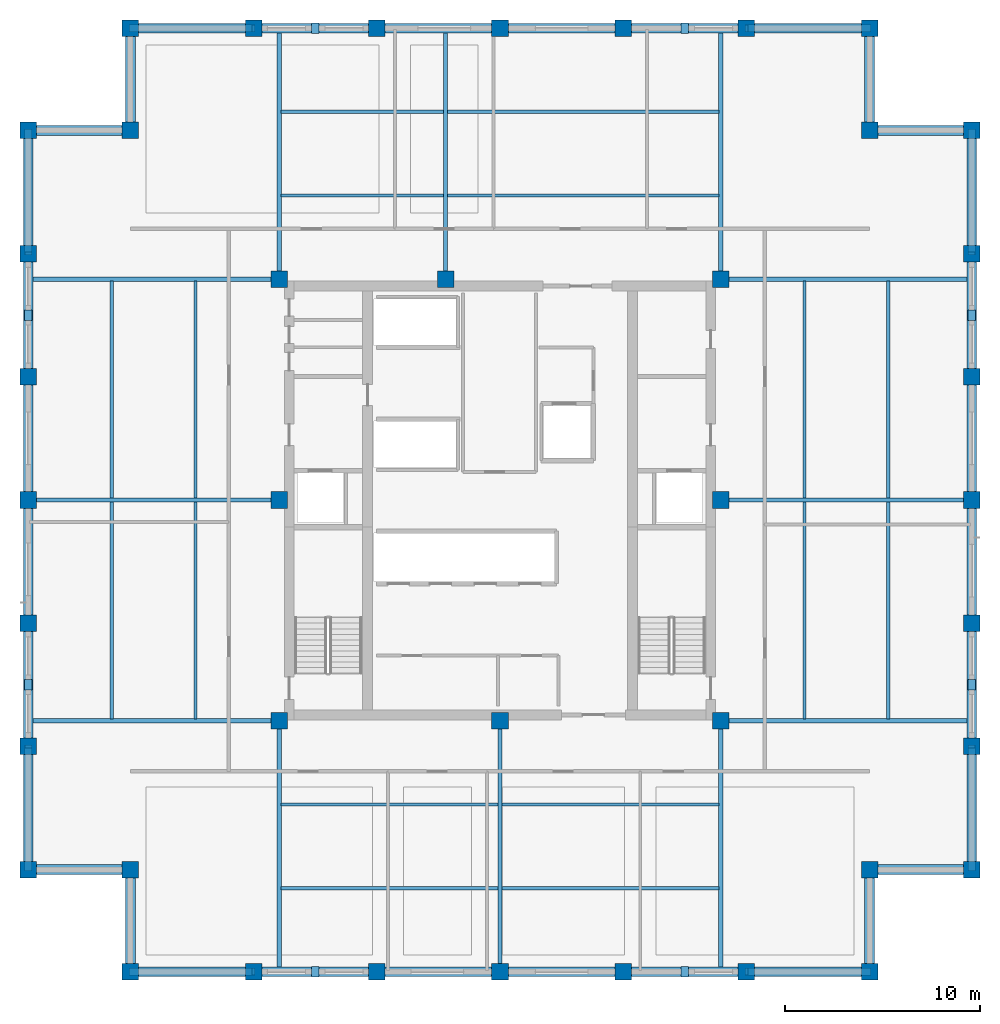
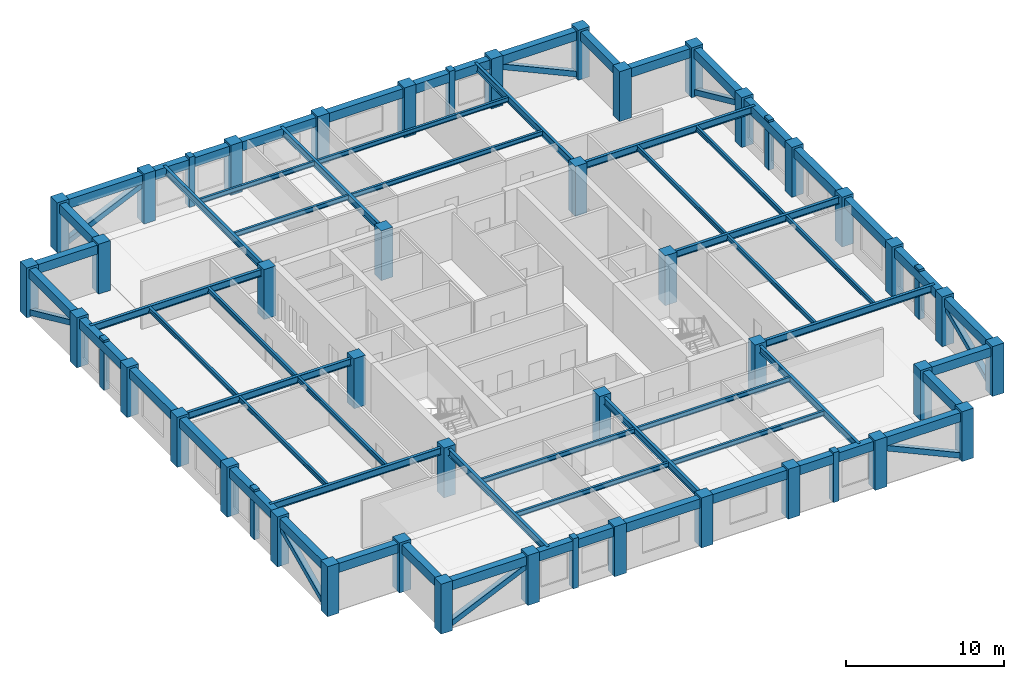
# One storey, part 1 of 11: 60 beams, 40 columns, 16 members.
"""IFC4 building model written with IfcOpenShell, lengths in metres."""

from ifc_helpers import new_model, si_unit, direction, frame, origin, origin_2d, place, context, subcontext, project, spatial, rectangle, hollow_rectangle, i_section, extrude, material, material_profile, profile_set, type_object, element, save


model = new_model("IFC4")

# Units and contexts
model_context = context("Model", 3, precision=1e-05, world=origin(), true_north=direction((0.0, 1.0)))
body_context = subcontext(model_context, "Body", "Model", "MODEL_VIEW")
ifc_project = project(units=[si_unit("LENGTHUNIT", "METRE"), si_unit("AREAUNIT", "SQUARE_METRE"), si_unit("VOLUMEUNIT", "CUBIC_METRE"), si_unit("PLANEANGLEUNIT", "RADIAN"), si_unit("MASSUNIT", "GRAM", prefix="KILO")], contexts=[model_context])

# Site, building, storey
site_placement = place(None, origin())
site = spatial("IfcSite", under=ifc_project, at=site_placement, CompositionType="ELEMENT")
building_placement = place(site_placement, origin())
building = spatial("IfcBuilding", under=site, at=building_placement, Name="Nhamokura Convention Tower", CompositionType="ELEMENT")
storey_placement = place(building_placement, frame((0.0, 0.0, 198.449951171875)))
storey = spatial("IfcBuildingStorey", under=building, at=storey_placement, Name="L48", CompositionType="ELEMENT", Elevation=198.449951171875)

# Columns
ifc_material_1 = material(Name="Concrete C50/60", Category="concrete")
ifc_material_profile_1 = material_profile(ifc_material_1, rectangle(XDim=0.85009765625, YDim=0.85009765625, at=origin_2d()))
ifc_profile_set_1 = profile_set([ifc_material_profile_1], Name="Concrete C50/60")
column_type = type_object("IfcColumnType", Name="TubeColumn_Z3_850", PredefinedType="COLUMN", material=ifc_profile_set_1)
for number, where, z_axis, x_axis, name in (
    (1, (20.64990234375, 20.64990234375, 0.0), (0.0, 0.0, 1.0), (1.0, 0.0, 0.0), "L48 Core Column CC-SW"),
    (2, (32.0, 20.64990234375, 0.0), (0.0, 0.0, 1.0), (1.0, 0.0, 0.0), "L48 Core Column CC-S"),
    (3, (43.35009765625, 20.64990234375, 0.0), (0.0, 0.0, 1.0), (1.0, 0.0, 0.0), "L48 Core Column CC-SE"),
    (4, (43.35009765625, 32.0, 0.0), (0.0, 0.0, 1.0), (1.0, 0.0, 0.0), "L48 Core Column CC-E"),
    (5, (43.35009765625, 43.35009765625, 0.0), (0.0, 0.0, 1.0), (1.0, 0.0, 0.0), "L48 Core Column CC-NE"),
    (6, (29.199951171875, 43.35009765625, 0.0), (0.0, 0.0, 1.0), (1.0, 0.0, 0.0), "L48 Core Column CC-N"),
    (7, (20.64990234375, 43.35009765625, 0.0), (0.0, 0.0, 1.0), (1.0, 0.0, 0.0), "L48 Core Column CC-NW"),
    (8, (20.64990234375, 32.0, 0.0), (0.0, 0.0, 1.0), (1.0, 0.0, 0.0), "L48 Core Column CC-W"),
    (9, (13.0, 7.75, 0.0), (0.0, 0.0, 1.0), (1.0, 0.0, 0.0), "L48 Perimeter Tube Column SW1"),
    (10, (13.0, 13.0, 0.0), (0.0, 0.0, 1.0), (1.0, 0.0, 0.0), "L48 Perimeter Tube Column SW0"),
    (11, (7.75, 13.0, 0.0), (0.0, 0.0, 1.0), (1.0, 0.0, 0.0), "L48 Perimeter Tube Column SW2"),
    (12, (51.0, 7.75, 0.0), (0.0, 0.0, 1.0), (1.0, 0.0, 0.0), "L48 Perimeter Tube Column SE1"),
    (13, (51.0, 13.0, 0.0), (0.0, 0.0, 1.0), (1.0, 0.0, 0.0), "L48 Perimeter Tube Column SE0"),
    (14, (56.25, 13.0, 0.0), (0.0, 0.0, 1.0), (1.0, 0.0, 0.0), "L48 Perimeter Tube Column SE2"),
    (15, (56.25, 51.0, 0.0), (0.0, 0.0, 1.0), (1.0, 0.0, 0.0), "L48 Perimeter Tube Column NE1"),
    (16, (51.0, 51.0, 0.0), (0.0, 0.0, 1.0), (1.0, 0.0, 0.0), "L48 Perimeter Tube Column NE0"),
    (17, (51.0, 56.25, 0.0), (0.0, 0.0, 1.0), (1.0, 0.0, 0.0), "L48 Perimeter Tube Column NE2"),
    (18, (13.0, 56.25, 0.0), (0.0, 0.0, 1.0), (1.0, 0.0, 0.0), "L48 Perimeter Tube Column NW1"),
    (19, (13.0, 51.0, 0.0), (0.0, 0.0, 1.0), (1.0, 0.0, 0.0), "L48 Perimeter Tube Column NW0"),
    (20, (7.75, 51.0, 0.0), (0.0, 0.0, 1.0), (1.0, 0.0, 0.0), "L48 Perimeter Tube Column NW2"),
    (21, (19.333251953125, 7.75, 0.0), (0.0, 0.0, 1.0), (1.0, 0.0, 0.0), "L48 Perimeter Tube Column S1"),
    (22, (19.333251953125, 56.25, 0.0), (0.0, 0.0, 1.0), (1.0, 0.0, 0.0), "L48 Perimeter Tube Column N1"),
    (23, (7.75, 19.333251953125, 0.0), (0.0, 0.0, 1.0), (1.0, 0.0, 0.0), "L48 Perimeter Tube Column W1"),
    (24, (56.25, 19.333251953125, 0.0), (0.0, 0.0, 1.0), (1.0, 0.0, 0.0), "L48 Perimeter Tube Column E1"),
    (25, (25.666748046875, 7.75, 0.0), (0.0, 0.0, 1.0), (1.0, 0.0, 0.0), "L48 Perimeter Tube Column S2"),
    (26, (25.666748046875, 56.25, 0.0), (0.0, 0.0, 1.0), (1.0, 0.0, 0.0), "L48 Perimeter Tube Column N2"),
    (27, (7.75, 25.666748046875, 0.0), (0.0, 0.0, 1.0), (1.0, 0.0, 0.0), "L48 Perimeter Tube Column W2"),
    (28, (56.25, 25.666748046875, 0.0), (0.0, 0.0, 1.0), (1.0, 0.0, 0.0), "L48 Perimeter Tube Column E2"),
    (29, (32.0, 7.75, 0.0), (0.0, 0.0, 1.0), (1.0, 0.0, 0.0), "L48 Perimeter Tube Column S3"),
    (30, (32.0, 56.25, 0.0), (0.0, 0.0, 1.0), (1.0, 0.0, 0.0), "L48 Perimeter Tube Column N3"),
    (31, (7.75, 32.0, 0.0), (0.0, 0.0, 1.0), (1.0, 0.0, 0.0), "L48 Perimeter Tube Column W3"),
    (32, (56.25, 32.0, 0.0), (0.0, 0.0, 1.0), (1.0, 0.0, 0.0), "L48 Perimeter Tube Column E3"),
    (33, (38.333251953125, 7.75, 0.0), (0.0, 0.0, 1.0), (1.0, 0.0, 0.0), "L48 Perimeter Tube Column S4"),
    (34, (38.333251953125, 56.25, 0.0), (0.0, 0.0, 1.0), (1.0, 0.0, 0.0), "L48 Perimeter Tube Column N4"),
    (35, (7.75, 38.333251953125, 0.0), (0.0, 0.0, 1.0), (1.0, 0.0, 0.0), "L48 Perimeter Tube Column W4"),
    (36, (56.25, 38.333251953125, 0.0), (0.0, 0.0, 1.0), (1.0, 0.0, 0.0), "L48 Perimeter Tube Column E4"),
    (37, (44.666748046875, 7.75, 0.0), (0.0, 0.0, 1.0), (1.0, 0.0, 0.0), "L48 Perimeter Tube Column S5"),
    (38, (44.666748046875, 56.25, 0.0), (0.0, 0.0, 1.0), (1.0, 0.0, 0.0), "L48 Perimeter Tube Column N5"),
    (39, (7.75, 44.666748046875, 0.0), (0.0, 0.0, 1.0), (1.0, 0.0, 0.0), "L48 Perimeter Tube Column W5"),
    (40, (56.25, 44.666748046875, 0.0), (0.0, 0.0, 1.0), (1.0, 0.0, 0.0), "L48 Perimeter Tube Column E5"),
):
    element("IfcColumn", number, at=place(storey_placement, frame(where, z_axis=z_axis, x_axis=x_axis)), inside=storey, type_object=column_type, Name=name, PredefinedType="COLUMN", context=body_context, shape_type="SweptSolid", body=[
        extrude(rectangle(XDim=0.85009765625, YDim=0.85009765625, at=origin_2d()), origin(), (0.0, 0.0, 1.0), 3.85009765625),
    ])

# Members
ifc_material_2 = material(Name="Bronze-pigmented precast concrete C45/55", Category="concrete")
ifc_material_profile_2 = material_profile(ifc_material_2, rectangle(XDim=0.39990234375, YDim=0.550048828125, at=origin_2d()))
ifc_profile_set_2 = profile_set([ifc_material_profile_2], Name="Bronze-pigmented precast concrete C45/55")
member_type_1 = type_object("IfcMemberType", Name="BronzePilaster_550", PredefinedType="USERDEFINED", material=ifc_profile_set_2)
for number, where, z_axis, x_axis, name in (
    (41, (22.5, 7.75, 0.0), (0.0, 0.0, 1.0), (1.0, 0.0, 0.0), "L48 Engaged Frame Pilaster SOUTH 1"),
    (42, (41.5, 7.75, 0.0), (0.0, 0.0, 1.0), (1.0, 0.0, 0.0), "L48 Engaged Frame Pilaster SOUTH 4"),
    (43, (22.5, 56.25, 0.0), (0.0, 0.0, 1.0), (1.0, 0.0, 0.0), "L48 Engaged Frame Pilaster NORTH 1"),
    (44, (41.5, 56.25, 0.0), (0.0, 0.0, 1.0), (1.0, 0.0, 0.0), "L48 Engaged Frame Pilaster NORTH 4"),
    (45, (7.75, 22.5, 0.0), (0.0, 0.0, 1.0), (1.0, 0.0, 0.0), "L48 Engaged Frame Pilaster WEST 1"),
    (46, (7.75, 41.5, 0.0), (0.0, 0.0, 1.0), (1.0, 0.0, 0.0), "L48 Engaged Frame Pilaster WEST 4"),
    (47, (56.25, 22.5, 0.0), (0.0, 0.0, 1.0), (1.0, 0.0, 0.0), "L48 Engaged Frame Pilaster EAST 1"),
    (48, (56.25, 41.5, 0.0), (0.0, 0.0, 1.0), (1.0, 0.0, 0.0), "L48 Engaged Frame Pilaster EAST 4"),
):
    element("IfcMember", number, at=place(storey_placement, frame(where, z_axis=z_axis, x_axis=x_axis)), inside=storey, type_object=member_type_1, Name=name, ObjectType="PILASTER_TRIM", PredefinedType="USERDEFINED", context=body_context, shape_type="SweptSolid", body=[
        extrude(rectangle(XDim=0.39990234375, YDim=0.550048828125, at=origin_2d()), origin(), (0.0, 0.0, 1.0), 3.85009765625),
    ])

# Beams
ifc_material_3 = material(Name="Steel ASTM A992 Gr 50", Category="steel")
ifc_material_profile_3 = material_profile(ifc_material_3, i_section(OverallWidth=0.172119140625, OverallDepth=0.35791015625, WebThickness=0.0078125, FlangeThickness=0.01318359375, at=origin_2d()))
ifc_profile_set_3 = profile_set([ifc_material_profile_3], Name="Steel ASTM A992 Gr 50")
beam_type_1 = type_object("IfcBeamType", Name="FloorJoist_W360X57", PredefinedType="JOIST", material=ifc_profile_set_3)
for number, where, z_axis, x_axis, name in (
    (49, (20.75341796875, 12.050048828125, 3.506103515625), (1.0, 0.0, 0.0), (0.0, 1.0, 0.0), "L48 Composite Floor Joist S1A"),
    (50, (32.103515625, 12.050048828125, 3.506103515625), (1.0, 0.0, 0.0), (0.0, 1.0, 0.0), "L48 Composite Floor Joist S1B"),
    (51, (20.75341796875, 16.35009765625, 3.506103515625), (1.0, 0.0, 0.0), (0.0, 1.0, 0.0), "L48 Composite Floor Joist S2A"),
    (52, (32.103515625, 16.35009765625, 3.506103515625), (1.0, 0.0, 0.0), (0.0, 1.0, 0.0), "L48 Composite Floor Joist S2B"),
):
    element("IfcBeam", number, at=place(storey_placement, frame(where, z_axis=z_axis, x_axis=x_axis)), inside=storey, type_object=beam_type_1, Name=name, PredefinedType="JOIST", context=body_context, shape_type="SweptSolid", body=[
        extrude(i_section(OverallWidth=0.172119140625, OverallDepth=0.35791015625, WebThickness=0.0078125, FlangeThickness=0.01318359375, at=origin_2d()), origin(), (0.0, 0.0, 1.0), 11.14306640625),
    ])
beam_1_placement = place(storey_placement, frame((20.75341796875, 47.64990234375, 3.506103515625), z_axis=(1.0, 0.0, 0.0), x_axis=(0.0, 1.0, 0.0)))
element("IfcBeam", 53, at=beam_1_placement, inside=storey, type_object=beam_type_1, Name="L48 Composite Floor Joist N1A", PredefinedType="JOIST", context=body_context, shape_type="SweptSolid", body=[
    extrude(i_section(OverallWidth=0.172119140625, OverallDepth=0.35791015625, WebThickness=0.0078125, FlangeThickness=0.01318359375, at=origin_2d()), origin(), (0.0, 0.0, 1.0), 8.343017578125),
])
beam_2_placement = place(storey_placement, frame((29.303466796875, 47.64990234375, 3.506103515625), z_axis=(1.0, 0.0, 0.0), x_axis=(0.0, 1.0, 0.0)))
element("IfcBeam", 54, at=beam_2_placement, inside=storey, type_object=beam_type_1, Name="L48 Composite Floor Joist N1B", PredefinedType="JOIST", context=body_context, shape_type="SweptSolid", body=[
    extrude(i_section(OverallWidth=0.172119140625, OverallDepth=0.35791015625, WebThickness=0.0078125, FlangeThickness=0.01318359375, at=origin_2d()), origin(), (0.0, 0.0, 1.0), 13.943115234375),
])
beam_3_placement = place(storey_placement, frame((20.75341796875, 51.949951171875, 3.506103515625), z_axis=(1.0, 0.0, 0.0), x_axis=(0.0, 1.0, 0.0)))
element("IfcBeam", 55, at=beam_3_placement, inside=storey, type_object=beam_type_1, Name="L48 Composite Floor Joist N2A", PredefinedType="JOIST", context=body_context, shape_type="SweptSolid", body=[
    extrude(i_section(OverallWidth=0.172119140625, OverallDepth=0.35791015625, WebThickness=0.0078125, FlangeThickness=0.01318359375, at=origin_2d()), origin(), (0.0, 0.0, 1.0), 8.343017578125),
])
beam_4_placement = place(storey_placement, frame((29.303466796875, 51.949951171875, 3.506103515625), z_axis=(1.0, 0.0, 0.0), x_axis=(0.0, 1.0, 0.0)))
element("IfcBeam", 56, at=beam_4_placement, inside=storey, type_object=beam_type_1, Name="L48 Composite Floor Joist N2B", PredefinedType="JOIST", context=body_context, shape_type="SweptSolid", body=[
    extrude(i_section(OverallWidth=0.172119140625, OverallDepth=0.35791015625, WebThickness=0.0078125, FlangeThickness=0.01318359375, at=origin_2d()), origin(), (0.0, 0.0, 1.0), 13.943115234375),
])
for number, where, z_axis, x_axis, name in (
    (57, (12.050048828125, 20.75341796875, 3.506103515625), (0.0, 1.0, 0.0), (-1.0, 0.0, 0.0), "L48 Composite Floor Joist W1A"),
    (58, (12.050048828125, 32.103515625, 3.506103515625), (0.0, 1.0, 0.0), (-1.0, 0.0, 0.0), "L48 Composite Floor Joist W1B"),
    (59, (16.35009765625, 20.75341796875, 3.506103515625), (0.0, 1.0, 0.0), (-1.0, 0.0, 0.0), "L48 Composite Floor Joist W2A"),
    (60, (16.35009765625, 32.103515625, 3.506103515625), (0.0, 1.0, 0.0), (-1.0, 0.0, 0.0), "L48 Composite Floor Joist W2B"),
    (61, (47.64990234375, 20.75341796875, 3.506103515625), (0.0, 1.0, 0.0), (-1.0, 0.0, 0.0), "L48 Composite Floor Joist E1A"),
    (62, (47.64990234375, 32.103515625, 3.506103515625), (0.0, 1.0, 0.0), (-1.0, 0.0, 0.0), "L48 Composite Floor Joist E1B"),
    (63, (51.949951171875, 20.75341796875, 3.506103515625), (0.0, 1.0, 0.0), (-1.0, 0.0, 0.0), "L48 Composite Floor Joist E2A"),
    (64, (51.949951171875, 32.103515625, 3.506103515625), (0.0, 1.0, 0.0), (-1.0, 0.0, 0.0), "L48 Composite Floor Joist E2B"),
):
    element("IfcBeam", number, at=place(storey_placement, frame(where, z_axis=z_axis, x_axis=x_axis)), inside=storey, type_object=beam_type_1, Name=name, PredefinedType="JOIST", context=body_context, shape_type="SweptSolid", body=[
        extrude(i_section(OverallWidth=0.172119140625, OverallDepth=0.35791015625, WebThickness=0.0078125, FlangeThickness=0.01318359375, at=origin_2d()), origin(), (0.0, 0.0, 1.0), 11.14306640625),
    ])
ifc_material_4 = material(Name="Steel ASTM A992 Gr 50", Category="steel")
ifc_material_profile_4 = material_profile(ifc_material_4, i_section(OverallWidth=0.2109375, OverallDepth=0.5390625, WebThickness=0.01171875, FlangeThickness=0.018798828125, at=origin_2d()))
ifc_profile_set_4 = profile_set([ifc_material_profile_4], Name="Steel ASTM A992 Gr 50")
beam_type_2 = type_object("IfcBeamType", Name="PrimaryGirder_W530X109", PredefinedType="BEAM", material=ifc_profile_set_4)
for number, where, z_axis, x_axis, name in (
    (65, (20.64990234375, 7.75, 3.41552734375), (0.0, 1.0, 0.0), (-1.0, 0.0, 0.0), "L48 Primary Floor Girder PG-S1"),
    (66, (32.0, 7.75, 3.41552734375), (0.0, 1.0, 0.0), (-1.0, 0.0, 0.0), "L48 Primary Floor Girder PG-S2"),
    (67, (43.35009765625, 7.75, 3.41552734375), (0.0, 1.0, 0.0), (-1.0, 0.0, 0.0), "L48 Primary Floor Girder PG-S3"),
    (68, (20.64990234375, 43.35009765625, 3.41552734375), (0.0, 1.0, 0.0), (-1.0, 0.0, 0.0), "L48 Primary Floor Girder PG-N1"),
    (69, (29.199951171875, 43.35009765625, 3.41552734375), (0.0, 1.0, 0.0), (-1.0, 0.0, 0.0), "L48 Primary Floor Girder PG-N2"),
    (70, (43.35009765625, 43.35009765625, 3.41552734375), (0.0, 1.0, 0.0), (-1.0, 0.0, 0.0), "L48 Primary Floor Girder PG-N3"),
    (71, (7.75, 20.64990234375, 3.41552734375), (1.0, 0.0, 0.0), (0.0, 1.0, 0.0), "L48 Primary Floor Girder PG-W1"),
    (72, (7.75, 32.0, 3.41552734375), (1.0, 0.0, 0.0), (0.0, 1.0, 0.0), "L48 Primary Floor Girder PG-W2"),
    (73, (7.75, 43.35009765625, 3.41552734375), (1.0, 0.0, 0.0), (0.0, 1.0, 0.0), "L48 Primary Floor Girder PG-W3"),
    (74, (43.35009765625, 20.64990234375, 3.41552734375), (1.0, 0.0, 0.0), (0.0, 1.0, 0.0), "L48 Primary Floor Girder PG-E1"),
    (75, (43.35009765625, 32.0, 3.41552734375), (1.0, 0.0, 0.0), (0.0, 1.0, 0.0), "L48 Primary Floor Girder PG-E2"),
    (76, (43.35009765625, 43.35009765625, 3.41552734375), (1.0, 0.0, 0.0), (0.0, 1.0, 0.0), "L48 Primary Floor Girder PG-E3"),
):
    element("IfcBeam", number, at=place(storey_placement, frame(where, z_axis=z_axis, x_axis=x_axis)), inside=storey, type_object=beam_type_2, Name=name, PredefinedType="BEAM", context=body_context, shape_type="SweptSolid", body=[
        extrude(i_section(OverallWidth=0.2109375, OverallDepth=0.5390625, WebThickness=0.01171875, FlangeThickness=0.018798828125, at=origin_2d()), origin(), (0.0, 0.0, 1.0), 12.89990234375),
    ])

# Members
ifc_material_5 = material(Name="Steel ASTM A572 Gr 50", Category="steel")
ifc_material_profile_5 = material_profile(ifc_material_5, hollow_rectangle(XDim=0.39990234375, YDim=0.39990234375, WallThickness=0.02001953125, at=origin_2d()))
ifc_profile_set_5 = profile_set([ifc_material_profile_5], Name="Steel ASTM A572 Gr 50")
member_type_2 = type_object("IfcMemberType", Name="TubeBrace_HSS400", PredefinedType="BRACE", material=ifc_profile_set_5)
for number, where, z_axis, x_axis, name in (
    (77, (13.0, 7.75, 0.150146484375), (0.910027379678, 0.0, 0.41454814948), (0.0, 1.0, 0.0), "L48 Perimeter Tube Brace SOUTH Bay 0"),
    (78, (51.0, 7.75, 0.150146484375), (-0.910027379678, 0.0, 0.41454814948), (0.0, -1.0, 0.0), "L48 Perimeter Tube Brace SOUTH Bay 5"),
    (79, (13.0, 56.25, 0.150146484375), (0.910027379678, 0.0, 0.41454814948), (0.0, 1.0, 0.0), "L48 Perimeter Tube Brace NORTH Bay 0"),
    (80, (51.0, 56.25, 0.150146484375), (-0.910027379678, 0.0, 0.41454814948), (0.0, -1.0, 0.0), "L48 Perimeter Tube Brace NORTH Bay 5"),
    (81, (7.75, 13.0, 0.150146484375), (0.0, 0.910027379678, 0.41454814948), (-1.0, 0.0, 0.0), "L48 Perimeter Tube Brace WEST Bay 0"),
    (82, (7.75, 51.0, 0.150146484375), (0.0, -0.910027379678, 0.41454814948), (1.0, 0.0, 0.0), "L48 Perimeter Tube Brace WEST Bay 5"),
    (83, (56.25, 13.0, 0.150146484375), (0.0, 0.910027379678, 0.41454814948), (-1.0, 0.0, 0.0), "L48 Perimeter Tube Brace EAST Bay 0"),
    (84, (56.25, 51.0, 0.150146484375), (0.0, -0.910027379678, 0.41454814948), (1.0, 0.0, 0.0), "L48 Perimeter Tube Brace EAST Bay 5"),
):
    element("IfcMember", number, at=place(storey_placement, frame(where, z_axis=z_axis, x_axis=x_axis)), inside=storey, type_object=member_type_2, Name=name, PredefinedType="BRACE", context=body_context, shape_type="SweptSolid", body=[
        extrude(hollow_rectangle(XDim=0.39990234375, YDim=0.39990234375, WallThickness=0.02001953125, at=origin_2d()), origin(), (0.0, 0.0, 1.0), 6.95947265625),
    ])

# Beams
ifc_material_6 = material(Name="Concrete C50/60", Category="concrete")
ifc_material_profile_6 = material_profile(ifc_material_6, rectangle(XDim=0.5, YDim=0.699951171875, at=origin_2d()))
ifc_profile_set_6 = profile_set([ifc_material_profile_6], Name="Concrete C50/60")
beam_type_3 = type_object("IfcBeamType", Name="TubeSpandrel_700", PredefinedType="SPANDREL", material=ifc_profile_set_6)
beam_5_placement = place(storey_placement, frame((13.0, 7.75, 3.3349609375), z_axis=(1.0, 0.0, 0.0), x_axis=(0.0, 1.0, 0.0)))
element("IfcBeam", 85, at=beam_5_placement, inside=storey, type_object=beam_type_3, Name="L48 Perimeter Spandrel SOUTH 1", PredefinedType="SPANDREL", context=body_context, shape_type="SweptSolid", body=[
    extrude(rectangle(XDim=0.5, YDim=0.699951171875, at=origin_2d()), origin(), (0.0, 0.0, 1.0), 6.333251953125),
])
beam_6_placement = place(storey_placement, frame((19.333251953125, 7.75, 3.3349609375), z_axis=(1.0, 0.0, 0.0), x_axis=(0.0, 1.0, 0.0)))
element("IfcBeam", 86, at=beam_6_placement, inside=storey, type_object=beam_type_3, Name="L48 Perimeter Spandrel SOUTH 2", PredefinedType="SPANDREL", context=body_context, shape_type="SweptSolid", body=[
    extrude(rectangle(XDim=0.5, YDim=0.699951171875, at=origin_2d()), origin(), (0.0, 0.0, 1.0), 6.33349609375),
])
for number, where, z_axis, x_axis, name in (
    (87, (25.666748046875, 7.75, 3.3349609375), (1.0, 0.0, 0.0), (0.0, 1.0, 0.0), "L48 Perimeter Spandrel SOUTH 3"),
    (88, (32.0, 7.75, 3.3349609375), (1.0, 0.0, 0.0), (0.0, 1.0, 0.0), "L48 Perimeter Spandrel SOUTH 4"),
):
    element("IfcBeam", number, at=place(storey_placement, frame(where, z_axis=z_axis, x_axis=x_axis)), inside=storey, type_object=beam_type_3, Name=name, PredefinedType="SPANDREL", context=body_context, shape_type="SweptSolid", body=[
        extrude(rectangle(XDim=0.5, YDim=0.699951171875, at=origin_2d()), origin(), (0.0, 0.0, 1.0), 6.333251953125),
    ])
beam_7_placement = place(storey_placement, frame((38.333251953125, 7.75, 3.3349609375), z_axis=(1.0, 0.0, 0.0), x_axis=(0.0, 1.0, 0.0)))
element("IfcBeam", 89, at=beam_7_placement, inside=storey, type_object=beam_type_3, Name="L48 Perimeter Spandrel SOUTH 5", PredefinedType="SPANDREL", context=body_context, shape_type="SweptSolid", body=[
    extrude(rectangle(XDim=0.5, YDim=0.699951171875, at=origin_2d()), origin(), (0.0, 0.0, 1.0), 6.33349609375),
])
for number, where, z_axis, x_axis, name in (
    (90, (44.666748046875, 7.75, 3.3349609375), (1.0, 0.0, 0.0), (0.0, 1.0, 0.0), "L48 Perimeter Spandrel SOUTH 6"),
    (91, (13.0, 56.25, 3.3349609375), (1.0, 0.0, 0.0), (0.0, 1.0, 0.0), "L48 Perimeter Spandrel NORTH 1"),
):
    element("IfcBeam", number, at=place(storey_placement, frame(where, z_axis=z_axis, x_axis=x_axis)), inside=storey, type_object=beam_type_3, Name=name, PredefinedType="SPANDREL", context=body_context, shape_type="SweptSolid", body=[
        extrude(rectangle(XDim=0.5, YDim=0.699951171875, at=origin_2d()), origin(), (0.0, 0.0, 1.0), 6.333251953125),
    ])
beam_8_placement = place(storey_placement, frame((19.333251953125, 56.25, 3.3349609375), z_axis=(1.0, 0.0, 0.0), x_axis=(0.0, 1.0, 0.0)))
element("IfcBeam", 92, at=beam_8_placement, inside=storey, type_object=beam_type_3, Name="L48 Perimeter Spandrel NORTH 2", PredefinedType="SPANDREL", context=body_context, shape_type="SweptSolid", body=[
    extrude(rectangle(XDim=0.5, YDim=0.699951171875, at=origin_2d()), origin(), (0.0, 0.0, 1.0), 6.33349609375),
])
for number, where, z_axis, x_axis, name in (
    (93, (25.666748046875, 56.25, 3.3349609375), (1.0, 0.0, 0.0), (0.0, 1.0, 0.0), "L48 Perimeter Spandrel NORTH 3"),
    (94, (32.0, 56.25, 3.3349609375), (1.0, 0.0, 0.0), (0.0, 1.0, 0.0), "L48 Perimeter Spandrel NORTH 4"),
):
    element("IfcBeam", number, at=place(storey_placement, frame(where, z_axis=z_axis, x_axis=x_axis)), inside=storey, type_object=beam_type_3, Name=name, PredefinedType="SPANDREL", context=body_context, shape_type="SweptSolid", body=[
        extrude(rectangle(XDim=0.5, YDim=0.699951171875, at=origin_2d()), origin(), (0.0, 0.0, 1.0), 6.333251953125),
    ])
beam_9_placement = place(storey_placement, frame((38.333251953125, 56.25, 3.3349609375), z_axis=(1.0, 0.0, 0.0), x_axis=(0.0, 1.0, 0.0)))
element("IfcBeam", 95, at=beam_9_placement, inside=storey, type_object=beam_type_3, Name="L48 Perimeter Spandrel NORTH 5", PredefinedType="SPANDREL", context=body_context, shape_type="SweptSolid", body=[
    extrude(rectangle(XDim=0.5, YDim=0.699951171875, at=origin_2d()), origin(), (0.0, 0.0, 1.0), 6.33349609375),
])
for number, where, z_axis, x_axis, name in (
    (96, (44.666748046875, 56.25, 3.3349609375), (1.0, 0.0, 0.0), (0.0, 1.0, 0.0), "L48 Perimeter Spandrel NORTH 6"),
    (97, (7.75, 13.0, 3.3349609375), (0.0, 1.0, 0.0), (-1.0, 0.0, 0.0), "L48 Perimeter Spandrel WEST 1"),
):
    element("IfcBeam", number, at=place(storey_placement, frame(where, z_axis=z_axis, x_axis=x_axis)), inside=storey, type_object=beam_type_3, Name=name, PredefinedType="SPANDREL", context=body_context, shape_type="SweptSolid", body=[
        extrude(rectangle(XDim=0.5, YDim=0.699951171875, at=origin_2d()), origin(), (0.0, 0.0, 1.0), 6.333251953125),
    ])
beam_10_placement = place(storey_placement, frame((7.75, 19.333251953125, 3.3349609375), z_axis=(0.0, 1.0, 0.0), x_axis=(-1.0, 0.0, 0.0)))
element("IfcBeam", 98, at=beam_10_placement, inside=storey, type_object=beam_type_3, Name="L48 Perimeter Spandrel WEST 2", PredefinedType="SPANDREL", context=body_context, shape_type="SweptSolid", body=[
    extrude(rectangle(XDim=0.5, YDim=0.699951171875, at=origin_2d()), origin(), (0.0, 0.0, 1.0), 6.33349609375),
])
for number, where, z_axis, x_axis, name in (
    (99, (7.75, 25.666748046875, 3.3349609375), (0.0, 1.0, 0.0), (-1.0, 0.0, 0.0), "L48 Perimeter Spandrel WEST 3"),
    (100, (7.75, 32.0, 3.3349609375), (0.0, 1.0, 0.0), (-1.0, 0.0, 0.0), "L48 Perimeter Spandrel WEST 4"),
):
    element("IfcBeam", number, at=place(storey_placement, frame(where, z_axis=z_axis, x_axis=x_axis)), inside=storey, type_object=beam_type_3, Name=name, PredefinedType="SPANDREL", context=body_context, shape_type="SweptSolid", body=[
        extrude(rectangle(XDim=0.5, YDim=0.699951171875, at=origin_2d()), origin(), (0.0, 0.0, 1.0), 6.333251953125),
    ])
beam_11_placement = place(storey_placement, frame((7.75, 38.333251953125, 3.3349609375), z_axis=(0.0, 1.0, 0.0), x_axis=(-1.0, 0.0, 0.0)))
element("IfcBeam", 101, at=beam_11_placement, inside=storey, type_object=beam_type_3, Name="L48 Perimeter Spandrel WEST 5", PredefinedType="SPANDREL", context=body_context, shape_type="SweptSolid", body=[
    extrude(rectangle(XDim=0.5, YDim=0.699951171875, at=origin_2d()), origin(), (0.0, 0.0, 1.0), 6.33349609375),
])
for number, where, z_axis, x_axis, name in (
    (102, (7.75, 44.666748046875, 3.3349609375), (0.0, 1.0, 0.0), (-1.0, 0.0, 0.0), "L48 Perimeter Spandrel WEST 6"),
    (103, (56.25, 13.0, 3.3349609375), (0.0, 1.0, 0.0), (-1.0, 0.0, 0.0), "L48 Perimeter Spandrel EAST 1"),
):
    element("IfcBeam", number, at=place(storey_placement, frame(where, z_axis=z_axis, x_axis=x_axis)), inside=storey, type_object=beam_type_3, Name=name, PredefinedType="SPANDREL", context=body_context, shape_type="SweptSolid", body=[
        extrude(rectangle(XDim=0.5, YDim=0.699951171875, at=origin_2d()), origin(), (0.0, 0.0, 1.0), 6.333251953125),
    ])
beam_12_placement = place(storey_placement, frame((56.25, 19.333251953125, 3.3349609375), z_axis=(0.0, 1.0, 0.0), x_axis=(-1.0, 0.0, 0.0)))
element("IfcBeam", 104, at=beam_12_placement, inside=storey, type_object=beam_type_3, Name="L48 Perimeter Spandrel EAST 2", PredefinedType="SPANDREL", context=body_context, shape_type="SweptSolid", body=[
    extrude(rectangle(XDim=0.5, YDim=0.699951171875, at=origin_2d()), origin(), (0.0, 0.0, 1.0), 6.33349609375),
])
for number, where, z_axis, x_axis, name in (
    (105, (56.25, 25.666748046875, 3.3349609375), (0.0, 1.0, 0.0), (-1.0, 0.0, 0.0), "L48 Perimeter Spandrel EAST 3"),
    (106, (56.25, 32.0, 3.3349609375), (0.0, 1.0, 0.0), (-1.0, 0.0, 0.0), "L48 Perimeter Spandrel EAST 4"),
):
    element("IfcBeam", number, at=place(storey_placement, frame(where, z_axis=z_axis, x_axis=x_axis)), inside=storey, type_object=beam_type_3, Name=name, PredefinedType="SPANDREL", context=body_context, shape_type="SweptSolid", body=[
        extrude(rectangle(XDim=0.5, YDim=0.699951171875, at=origin_2d()), origin(), (0.0, 0.0, 1.0), 6.333251953125),
    ])
beam_13_placement = place(storey_placement, frame((56.25, 38.333251953125, 3.3349609375), z_axis=(0.0, 1.0, 0.0), x_axis=(-1.0, 0.0, 0.0)))
element("IfcBeam", 107, at=beam_13_placement, inside=storey, type_object=beam_type_3, Name="L48 Perimeter Spandrel EAST 5", PredefinedType="SPANDREL", context=body_context, shape_type="SweptSolid", body=[
    extrude(rectangle(XDim=0.5, YDim=0.699951171875, at=origin_2d()), origin(), (0.0, 0.0, 1.0), 6.33349609375),
])
beam_14_placement = place(storey_placement, frame((56.25, 44.666748046875, 3.3349609375), z_axis=(0.0, 1.0, 0.0), x_axis=(-1.0, 0.0, 0.0)))
element("IfcBeam", 108, at=beam_14_placement, inside=storey, type_object=beam_type_3, Name="L48 Perimeter Spandrel EAST 6", PredefinedType="SPANDREL", context=body_context, shape_type="SweptSolid", body=[
    extrude(rectangle(XDim=0.5, YDim=0.699951171875, at=origin_2d()), origin(), (0.0, 0.0, 1.0), 6.333251953125),
])
for number, where, z_axis, x_axis, name in (
    (109, (13.0, 7.75, 3.3349609375), (0.0, 1.0, 0.0), (-1.0, 0.0, 0.0), "L48 Notch Spandrel SW1"),
    (110, (13.0, 13.0, 3.3349609375), (-1.0, 0.0, 0.0), (0.0, -1.0, 0.0), "L48 Notch Spandrel SW2"),
    (111, (51.0, 7.75, 3.3349609375), (0.0, 1.0, 0.0), (-1.0, 0.0, 0.0), "L48 Notch Spandrel SE1"),
    (112, (51.0, 13.0, 3.3349609375), (1.0, 0.0, 0.0), (0.0, 1.0, 0.0), "L48 Notch Spandrel SE2"),
    (113, (56.25, 51.0, 3.3349609375), (-1.0, 0.0, 0.0), (0.0, -1.0, 0.0), "L48 Notch Spandrel NE1"),
    (114, (51.0, 51.0, 3.3349609375), (0.0, 1.0, 0.0), (-1.0, 0.0, 0.0), "L48 Notch Spandrel NE2"),
    (115, (13.0, 56.25, 3.3349609375), (0.0, -1.0, 0.0), (1.0, 0.0, 0.0), "L48 Notch Spandrel NW1"),
    (116, (13.0, 51.0, 3.3349609375), (-1.0, 0.0, 0.0), (0.0, -1.0, 0.0), "L48 Notch Spandrel NW2"),
):
    element("IfcBeam", number, at=place(storey_placement, frame(where, z_axis=z_axis, x_axis=x_axis)), inside=storey, type_object=beam_type_3, Name=name, PredefinedType="SPANDREL", context=body_context, shape_type="SweptSolid", body=[
        extrude(rectangle(XDim=0.5, YDim=0.699951171875, at=origin_2d()), origin(), (0.0, 0.0, 1.0), 5.25),
    ])

save(model, "model.ifc")
